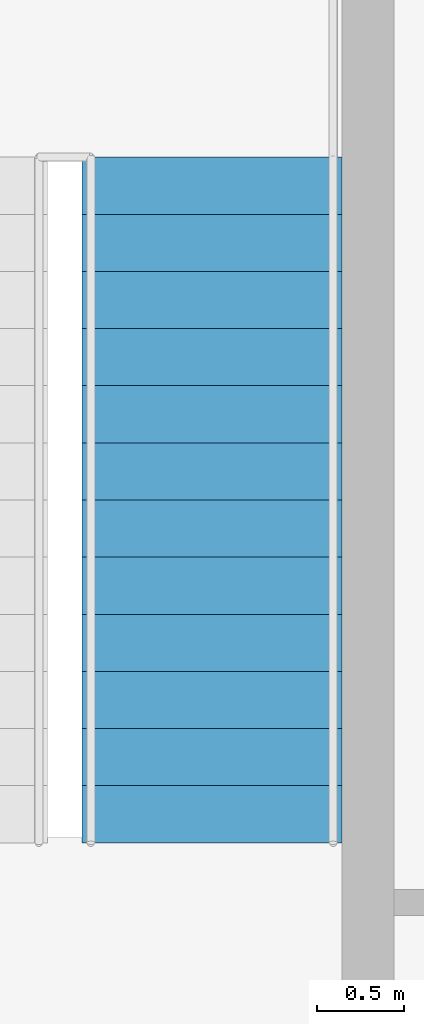
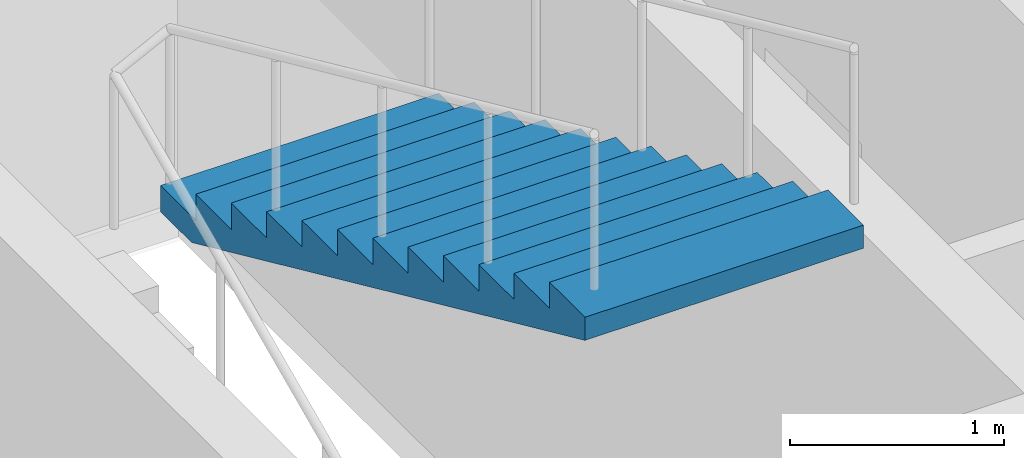
# One storey, part 9 of 10: 1 stair flight, 1 element without a shape of its own.
"""IFC4 building model written with IfcOpenShell, lengths in metres."""

from ifc_helpers import new_model, si_unit, direction, frame, origin, place, context, subcontext, project, spatial, polygons, material, type_object, element, aggregate, save


model = new_model("IFC4")

# Units and contexts
model_context = context("Model", 3, precision=1e-05, world=origin(), true_north=direction((0.0, 1.0)))
body_context = subcontext(model_context, "Body", "Model", "MODEL_VIEW")
ifc_project = project(units=[si_unit("LENGTHUNIT", "METRE"), si_unit("AREAUNIT", "SQUARE_METRE"), si_unit("VOLUMEUNIT", "CUBIC_METRE"), si_unit("PLANEANGLEUNIT", "RADIAN"), si_unit("MASSUNIT", "GRAM", prefix="KILO")], contexts=[model_context])

# Site, building, storey
site_placement = place(None, origin())
site = spatial("IfcSite", under=ifc_project, at=site_placement, CompositionType="ELEMENT")
building_placement = place(site_placement, origin())
building = spatial("IfcBuilding", under=site, at=building_placement, Name="Njiva Tower", CompositionType="ELEMENT")
storey_placement = place(building_placement, frame((0.0, 0.0, 155.4)))
storey = spatial("IfcBuildingStorey", under=building, at=storey_placement, Name="L33", CompositionType="ELEMENT", Elevation=155.4)

# Stair, stair flight
ifc_material = material(Name="Concrete C40/50", Category="concrete")
stair_type = type_object("IfcStairType", Name="ST4 Exit stair 1500", PredefinedType="HALF_TURN_STAIR", material=ifc_material)
stair_placement = place(storey_placement, origin())
stair = element("IfcStair", 1, at=stair_placement, inside=storey, type_object=stair_type, Name="Stair B", PredefinedType="HALF_TURN_STAIR")
stair_flight_type = type_object("IfcStairFlightType", Name="FL4 Stair flight 1500", PredefinedType="STRAIGHT", material=ifc_material)
stair_flight_placement = place(storey_placement, frame((13.45, 15.06, 1.95), z_axis=(0.0, 0.0, 1.0), x_axis=(0.0, -1.0, 0.0)))
stair_flight = element("IfcStairFlight", 2, at=stair_flight_placement, type_object=stair_flight_type, Name="ST-B flight 2", NumberOfRisers=13, NumberOfTreads=12, PredefinedType="STRAIGHT", RiserHeight=0.15, TreadLength=0.33, context=body_context, shape_type="Tessellation", body=[
    polygons([(0.0, 0.75, 0.0), (0.0, 0.375, 0.0), (0.0, 0.0, 0.0), (0.0, -0.375, 0.0), (0.0, -0.75, 0.0), (0.0, 0.75, 0.15), (0.0, 0.375, 0.15), (0.0, 0.0, 0.15), (0.0, -0.375, 0.15), (0.0, -0.75, 0.15), (0.33, 0.75, 0.15), (0.33, 0.375, 0.15), (0.33, 0.0, 0.15), (0.33, -0.375, 0.15), (0.33, -0.75, 0.15), (0.33, 0.75, 0.3), (0.33, 0.375, 0.3), (0.33, 0.0, 0.3), (0.33, -0.375, 0.3), (0.33, -0.75, 0.3), (0.66, 0.75, 0.3), (0.66, 0.375, 0.3), (0.66, 0.0, 0.3), (0.66, -0.375, 0.3), (0.66, -0.75, 0.3), (0.66, 0.75, 0.45), (0.66, 0.375, 0.45), (0.66, 0.0, 0.45), (0.66, -0.375, 0.45), (0.66, -0.75, 0.45), (0.99, 0.75, 0.45), (0.99, 0.375, 0.45), (0.99, 0.0, 0.45), (0.99, -0.375, 0.45), (0.99, -0.75, 0.45), (0.99, 0.75, 0.6), (0.99, 0.375, 0.6), (0.99, 0.0, 0.6), (0.99, -0.375, 0.6), (0.99, -0.75, 0.6), (1.32, 0.75, 0.6), (1.32, 0.375, 0.6), (1.32, 0.0, 0.6), (1.32, -0.375, 0.6), (1.32, -0.75, 0.6), (1.32, 0.75, 0.75), (1.32, 0.375, 0.75), (1.32, 0.0, 0.75), (1.32, -0.375, 0.75), (1.32, -0.75, 0.75), (1.65, 0.75, 0.75), (1.65, 0.375, 0.75), (1.65, 0.0, 0.75), (1.65, -0.375, 0.75), (1.65, -0.75, 0.75), (1.65, 0.75, 0.9), (1.65, 0.375, 0.9), (1.65, 0.0, 0.9), (1.65, -0.375, 0.9), (1.65, -0.75, 0.9), (1.98, 0.75, 0.9), (1.98, 0.375, 0.9), (1.98, 0.0, 0.9), (1.98, -0.375, 0.9), (1.98, -0.75, 0.9), (1.98, 0.75, 1.05), (1.98, 0.375, 1.05), (1.98, 0.0, 1.05), (1.98, -0.375, 1.05), (1.98, -0.75, 1.05), (2.31, 0.75, 1.05), (2.31, 0.375, 1.05), (2.31, 0.0, 1.05), (2.31, -0.375, 1.05), (2.31, -0.75, 1.05), (2.31, 0.75, 1.2), (2.31, 0.375, 1.2), (2.31, 0.0, 1.2), (2.31, -0.375, 1.2), (2.31, -0.75, 1.2), (2.64, 0.75, 1.2), (2.64, 0.375, 1.2), (2.64, 0.0, 1.2), (2.64, -0.375, 1.2), (2.64, -0.75, 1.2), (2.64, 0.75, 1.35), (2.64, 0.375, 1.35), (2.64, 0.0, 1.35), (2.64, -0.375, 1.35), (2.64, -0.75, 1.35), (2.97, 0.75, 1.35), (2.97, 0.375, 1.35), (2.97, 0.0, 1.35), (2.97, -0.375, 1.35), (2.97, -0.75, 1.35), (2.97, 0.75, 1.5), (2.97, 0.375, 1.5), (2.97, 0.0, 1.5), (2.97, -0.375, 1.5), (2.97, -0.75, 1.5), (3.3, 0.75, 1.5), (3.3, 0.375, 1.5), (3.3, 0.0, 1.5), (3.3, -0.375, 1.5), (3.3, -0.75, 1.5), (3.3, 0.75, 1.65), (3.3, 0.375, 1.65), (3.3, 0.0, 1.65), (3.3, -0.375, 1.65), (3.3, -0.75, 1.65), (3.63, 0.75, 1.65), (3.63, 0.375, 1.65), (3.63, 0.0, 1.65), (3.63, -0.375, 1.65), (3.63, -0.75, 1.65), (3.63, 0.75, 1.8), (3.63, 0.375, 1.8), (3.63, 0.0, 1.8), (3.63, -0.375, 1.8), (3.63, -0.75, 1.8), (3.96, 0.75, 1.8), (3.96, 0.375, 1.8), (3.96, 0.0, 1.8), (3.96, -0.375, 1.8), (3.96, -0.75, 1.8), (3.96, 0.75, 1.6682), (3.96, 0.375, 1.6682), (3.96, 0.0, 1.6682), (3.96, -0.375, 1.6682), (3.96, -0.75, 1.6682), (0.29, 0.75, 0.0), (0.29, 0.375, 0.0), (0.29, 0.0, 0.0), (0.29, -0.375, 0.0), (0.29, -0.75, 0.0)], [[[1, 6, 11, 16, 21, 26, 31, 36, 41, 46, 51, 56, 61, 66, 71, 76, 81, 86, 91, 96, 101, 106, 111, 116, 121, 126, 131]], [[135, 130, 125, 120, 115, 110, 105, 100, 95, 90, 85, 80, 75, 70, 65, 60, 55, 50, 45, 40, 35, 30, 25, 20, 15, 10, 5]], [[6, 1, 2, 7]], [[7, 2, 3, 8]], [[8, 3, 4, 9]], [[9, 4, 5, 10]], [[11, 6, 7, 12]], [[12, 7, 8, 13]], [[13, 8, 9, 14]], [[14, 9, 10, 15]], [[16, 11, 12, 17]], [[17, 12, 13, 18]], [[18, 13, 14, 19]], [[19, 14, 15, 20]], [[21, 16, 17, 22]], [[22, 17, 18, 23]], [[23, 18, 19, 24]], [[24, 19, 20, 25]], [[26, 21, 22, 27]], [[27, 22, 23, 28]], [[28, 23, 24, 29]], [[29, 24, 25, 30]], [[31, 26, 27, 32]], [[32, 27, 28, 33]], [[33, 28, 29, 34]], [[34, 29, 30, 35]], [[36, 31, 32, 37]], [[37, 32, 33, 38]], [[38, 33, 34, 39]], [[39, 34, 35, 40]], [[41, 36, 37, 42]], [[42, 37, 38, 43]], [[43, 38, 39, 44]], [[44, 39, 40, 45]], [[46, 41, 42, 47]], [[47, 42, 43, 48]], [[48, 43, 44, 49]], [[49, 44, 45, 50]], [[51, 46, 47, 52]], [[52, 47, 48, 53]], [[53, 48, 49, 54]], [[54, 49, 50, 55]], [[56, 51, 52, 57]], [[57, 52, 53, 58]], [[58, 53, 54, 59]], [[59, 54, 55, 60]], [[61, 56, 57, 62]], [[62, 57, 58, 63]], [[63, 58, 59, 64]], [[64, 59, 60, 65]], [[66, 61, 62, 67]], [[67, 62, 63, 68]], [[68, 63, 64, 69]], [[69, 64, 65, 70]], [[71, 66, 67, 72]], [[72, 67, 68, 73]], [[73, 68, 69, 74]], [[74, 69, 70, 75]], [[76, 71, 72, 77]], [[77, 72, 73, 78]], [[78, 73, 74, 79]], [[79, 74, 75, 80]], [[81, 76, 77, 82]], [[82, 77, 78, 83]], [[83, 78, 79, 84]], [[84, 79, 80, 85]], [[86, 81, 82, 87]], [[87, 82, 83, 88]], [[88, 83, 84, 89]], [[89, 84, 85, 90]], [[91, 86, 87, 92]], [[92, 87, 88, 93]], [[93, 88, 89, 94]], [[94, 89, 90, 95]], [[96, 91, 92, 97]], [[97, 92, 93, 98]], [[98, 93, 94, 99]], [[99, 94, 95, 100]], [[101, 96, 97, 102]], [[102, 97, 98, 103]], [[103, 98, 99, 104]], [[104, 99, 100, 105]], [[106, 101, 102, 107]], [[107, 102, 103, 108]], [[108, 103, 104, 109]], [[109, 104, 105, 110]], [[111, 106, 107, 112]], [[112, 107, 108, 113]], [[113, 108, 109, 114]], [[114, 109, 110, 115]], [[116, 111, 112, 117]], [[117, 112, 113, 118]], [[118, 113, 114, 119]], [[119, 114, 115, 120]], [[121, 116, 117, 122]], [[122, 117, 118, 123]], [[123, 118, 119, 124]], [[124, 119, 120, 125]], [[126, 121, 122, 127]], [[127, 122, 123, 128]], [[128, 123, 124, 129]], [[129, 124, 125, 130]], [[131, 126, 127, 132]], [[132, 127, 128, 133]], [[133, 128, 129, 134]], [[134, 129, 130, 135]], [[1, 131, 132, 2]], [[2, 132, 133, 3]], [[3, 133, 134, 4]], [[4, 134, 135, 5]]], closed=True),
])
aggregate(stair, [stair_flight])

save(model, "model.ifc")
